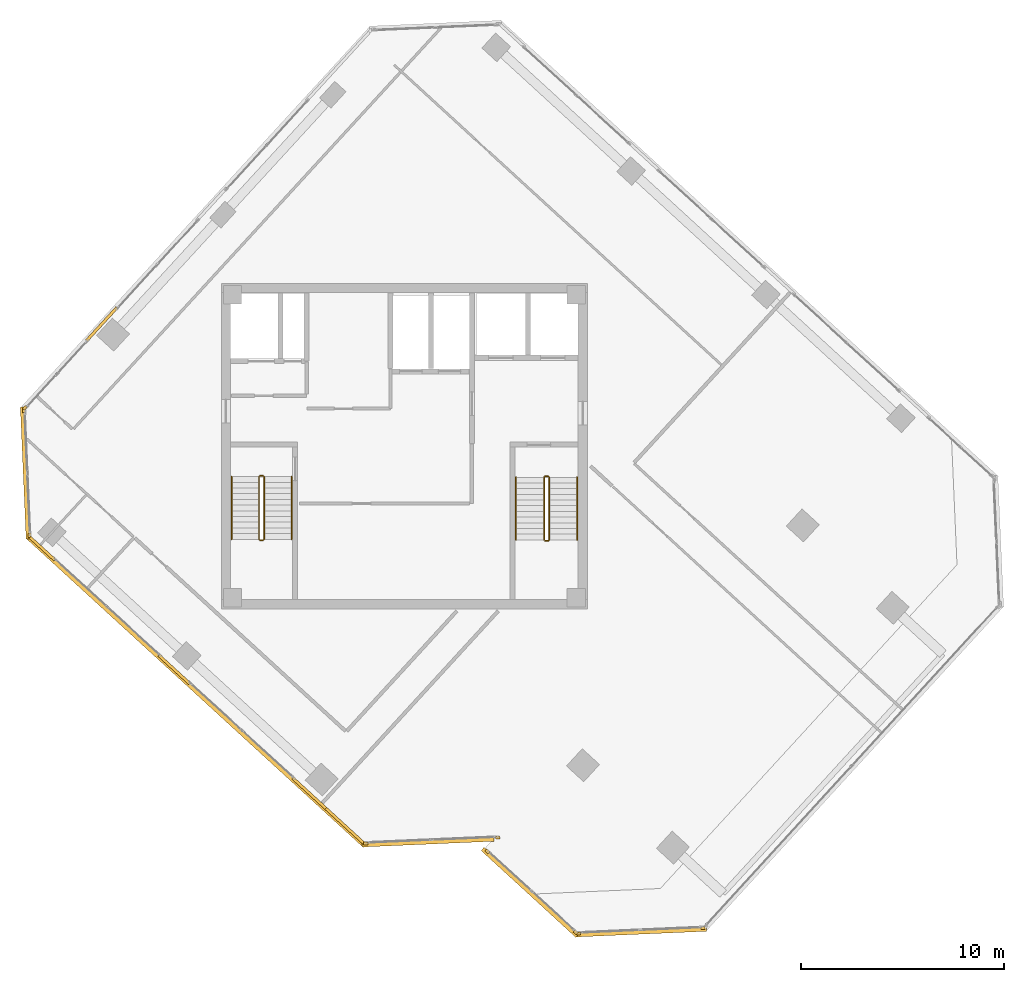
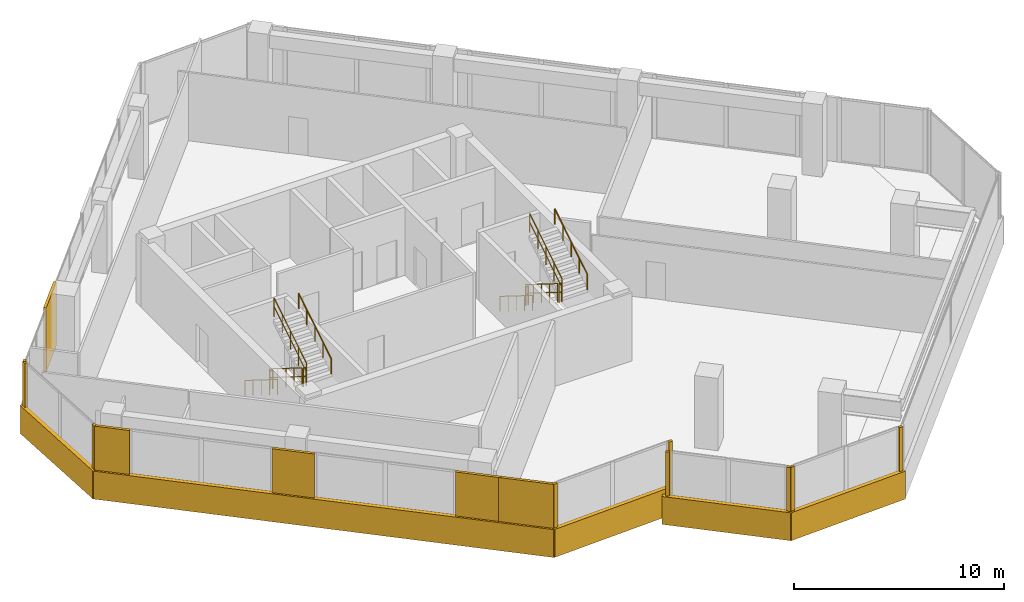
# One storey, part 16 of 18: 19 coverings, 12 railings.
"""IFC4 building model written with IfcOpenShell, lengths in metres."""

from ifc_helpers import new_model, si_unit, direction, frame, origin, origin_2d, place, context, subcontext, project, spatial, rectangle, circle, extrude, source, transform, mapped, material, layer, layer_set, type_object, element, save


model = new_model("IFC4")

# Units and contexts
model_context = context("Model", 3, precision=1e-05, world=origin(), true_north=direction((0.0, 1.0)))
body_context = subcontext(model_context, "Body", "Model", "MODEL_VIEW")
ifc_project = project(units=[si_unit("LENGTHUNIT", "METRE"), si_unit("AREAUNIT", "SQUARE_METRE"), si_unit("VOLUMEUNIT", "CUBIC_METRE"), si_unit("PLANEANGLEUNIT", "RADIAN"), si_unit("MASSUNIT", "GRAM", prefix="KILO")], contexts=[model_context])

# Site, building, storey
site_placement = place(None, origin())
site = spatial("IfcSite", under=ifc_project, at=site_placement, CompositionType="ELEMENT")
building_placement = place(site_placement, origin())
building = spatial("IfcBuilding", under=site, at=building_placement, Name="Torre Montelarca", CompositionType="ELEMENT")
storey_placement = place(building_placement, frame((0.0, 0.0, 233.199951171875)))
storey = spatial("IfcBuildingStorey", under=building, at=storey_placement, Name="L52", CompositionType="ELEMENT", Elevation=233.199951171875)

# Railings
ifc_material_1 = material(Name="Powder-coated steel ASTM A500 Grade C", Category="steel")
railing_type_1 = type_object("IfcRailingType", Name="RL-GUARD-1100", PredefinedType="BALUSTRADE", material=ifc_material_1)
railing_1_placement = place(storey_placement, frame((10.85009765625, 30.5, 0.175048828125)))
element("IfcRailing", 1, at=railing_1_placement, inside=storey, type_object=railing_type_1, Name="L52 ST1 stair guard 1", PredefinedType="BALUSTRADE", context=body_context, shape_type="SweptSolid", body=[
    extrude(circle(Radius=0.02392578125, at=origin_2d()), frame((0.0, 0.0, 1.076171875), z_axis=(0.0, -0.847998304005, 0.529998940003), x_axis=(1.0, 0.0, 0.0)), (0.0, 0.0, 1.0), 3.632080078125),
    extrude(circle(Radius=0.02099609375, at=origin_2d()), frame((0.0, 0.0, 0.572021484375), z_axis=(0.0, -0.847998304005, 0.529998940003), x_axis=(1.0, 0.0, 0.0)), (0.0, 0.0, 1.0), 3.632080078125),
    extrude(circle(Radius=0.02099609375, at=origin_2d()), origin(), (0.0, 0.0, 1.0), 1.052001953125),
    extrude(circle(Radius=0.02099609375, at=origin_2d()), frame((0.0, -0.77001953125, 0.481201171875)), (0.0, 0.0, 1.0), 1.052001953125),
    extrude(circle(Radius=0.02099609375, at=origin_2d()), frame((0.0, -1.5400390625, 0.96240234375)), (0.0, 0.0, 1.0), 1.052001953125),
    extrude(circle(Radius=0.02099609375, at=origin_2d()), frame((0.0, -2.31005859375, 1.44384765625)), (0.0, 0.0, 1.0), 1.052001953125),
    extrude(circle(Radius=0.02099609375, at=origin_2d()), frame((0.0, -3.080078125, 1.925048828125)), (0.0, 0.0, 1.0), 1.052001953125),
])
railing_2_placement = place(storey_placement, frame((10.89990234375, 27.3701171875, 2.10009765625)))
element("IfcRailing", 2, at=railing_2_placement, inside=storey, type_object=railing_type_1, Name="L52 ST1 stair guard 2", PredefinedType="BALUSTRADE", context=body_context, shape_type="SweptSolid", body=[
    extrude(circle(Radius=0.02392578125, at=origin_2d()), frame((0.0, 0.0, 1.076171875), z_axis=(1.0, 0.0, 0.0), x_axis=(0.0, 1.0, 0.0)), (0.0, 0.0, 1.0), 0.150146484375),
    extrude(circle(Radius=0.02099609375, at=origin_2d()), frame((0.0, 0.0, 0.572021484375), z_axis=(1.0, 0.0, 0.0), x_axis=(0.0, 1.0, 0.0)), (0.0, 0.0, 1.0), 0.150146484375),
    extrude(circle(Radius=0.02099609375, at=origin_2d()), origin(), (0.0, 0.0, 1.0), 1.052001953125),
    extrude(circle(Radius=0.02099609375, at=origin_2d()), frame((0.150146484375, 0.0, 0.0)), (0.0, 0.0, 1.0), 1.052001953125),
])
railing_3_placement = place(storey_placement, frame((11.10009765625, 27.419921875, 2.275146484375)))
element("IfcRailing", 3, at=railing_3_placement, inside=storey, type_object=railing_type_1, Name="L52 ST1 stair guard 3", PredefinedType="BALUSTRADE", context=body_context, shape_type="SweptSolid", body=[
    extrude(circle(Radius=0.02392578125, at=origin_2d()), frame((0.0, 0.0, 1.076171875), z_axis=(0.0, 0.848028513186, 0.529950602248), x_axis=(-1.0, 0.0, 0.0)), (0.0, 0.0, 1.0), 3.632080078125),
    extrude(circle(Radius=0.02099609375, at=origin_2d()), frame((0.0, 0.0, 0.572021484375), z_axis=(0.0, 0.848028513186, 0.529950602248), x_axis=(-1.0, 0.0, 0.0)), (0.0, 0.0, 1.0), 3.632080078125),
    extrude(circle(Radius=0.02099609375, at=origin_2d()), origin(), (0.0, 0.0, 1.0), 1.052001953125),
    extrude(circle(Radius=0.02099609375, at=origin_2d()), frame((0.0, 0.77001953125, 0.481201171875)), (0.0, 0.0, 1.0), 1.052001953125),
    extrude(circle(Radius=0.02099609375, at=origin_2d()), frame((0.0, 1.5400390625, 0.96240234375)), (0.0, 0.0, 1.0), 1.052001953125),
    extrude(circle(Radius=0.02099609375, at=origin_2d()), frame((0.0, 2.31005859375, 1.443603515625)), (0.0, 0.0, 1.0), 1.052001953125),
    extrude(circle(Radius=0.02099609375, at=origin_2d()), frame((0.0, 3.080078125, 1.9248046875)), (0.0, 0.0, 1.0), 1.052001953125),
])
railing_4_placement = place(storey_placement, frame((10.89990234375, 30.550048828125, 0.0)))
element("IfcRailing", 4, at=railing_4_placement, inside=storey, type_object=railing_type_1, Name="L52 ST1 stair guard 4", PredefinedType="BALUSTRADE", context=body_context, shape_type="SweptSolid", body=[
    extrude(circle(Radius=0.02392578125, at=origin_2d()), frame((0.0, 0.0, 1.076171875), z_axis=(1.0, 0.0, 0.0), x_axis=(0.0, 1.0, 0.0)), (0.0, 0.0, 1.0), 0.150146484375),
    extrude(circle(Radius=0.02099609375, at=origin_2d()), frame((0.0, 0.0, 0.572021484375), z_axis=(1.0, 0.0, 0.0), x_axis=(0.0, 1.0, 0.0)), (0.0, 0.0, 1.0), 0.150146484375),
    extrude(circle(Radius=0.02099609375, at=origin_2d()), origin(), (0.0, 0.0, 1.0), 1.052001953125),
    extrude(circle(Radius=0.02099609375, at=origin_2d()), frame((0.150146484375, 0.0, 0.0)), (0.0, 0.0, 1.0), 1.052001953125),
])
railing_5_placement = place(storey_placement, frame((24.8701171875, 30.469970703125, 0.175048828125)))
element("IfcRailing", 5, at=railing_5_placement, inside=storey, type_object=railing_type_1, Name="L52 ST2 stair guard 1", PredefinedType="BALUSTRADE", context=body_context, shape_type="SweptSolid", body=[
    extrude(circle(Radius=0.02392578125, at=origin_2d()), frame((0.0, 0.0, 1.076171875), z_axis=(0.0, -0.847998304005, 0.529998940003), x_axis=(1.0, 0.0, 0.0)), (0.0, 0.0, 1.0), 3.632080078125),
    extrude(circle(Radius=0.02099609375, at=origin_2d()), frame((0.0, 0.0, 0.572021484375), z_axis=(0.0, -0.847998304005, 0.529998940003), x_axis=(1.0, 0.0, 0.0)), (0.0, 0.0, 1.0), 3.632080078125),
    extrude(circle(Radius=0.02099609375, at=origin_2d()), origin(), (0.0, 0.0, 1.0), 1.052001953125),
    extrude(circle(Radius=0.02099609375, at=origin_2d()), frame((0.0, -0.77001953125, 0.481201171875)), (0.0, 0.0, 1.0), 1.052001953125),
    extrude(circle(Radius=0.02099609375, at=origin_2d()), frame((0.0, -1.5400390625, 0.96240234375)), (0.0, 0.0, 1.0), 1.052001953125),
    extrude(circle(Radius=0.02099609375, at=origin_2d()), frame((0.0, -2.31005859375, 1.44384765625)), (0.0, 0.0, 1.0), 1.052001953125),
    extrude(circle(Radius=0.02099609375, at=origin_2d()), frame((0.0, -3.080078125, 1.925048828125)), (0.0, 0.0, 1.0), 1.052001953125),
])
railing_6_placement = place(storey_placement, frame((24.919921875, 27.340087890625, 2.10009765625)))
element("IfcRailing", 6, at=railing_6_placement, inside=storey, type_object=railing_type_1, Name="L52 ST2 stair guard 2", PredefinedType="BALUSTRADE", context=body_context, shape_type="SweptSolid", body=[
    extrude(circle(Radius=0.02392578125, at=origin_2d()), frame((0.0, 0.0, 1.076171875), z_axis=(1.0, 0.0, 0.0), x_axis=(0.0, 1.0, 0.0)), (0.0, 0.0, 1.0), 0.150146484375),
    extrude(circle(Radius=0.02099609375, at=origin_2d()), frame((0.0, 0.0, 0.572021484375), z_axis=(1.0, 0.0, 0.0), x_axis=(0.0, 1.0, 0.0)), (0.0, 0.0, 1.0), 0.150146484375),
    extrude(circle(Radius=0.02099609375, at=origin_2d()), origin(), (0.0, 0.0, 1.0), 1.052001953125),
    extrude(circle(Radius=0.02099609375, at=origin_2d()), frame((0.150146484375, 0.0, 0.0)), (0.0, 0.0, 1.0), 1.052001953125),
])
railing_7_placement = place(storey_placement, frame((25.1201171875, 27.389892578125, 2.275146484375)))
element("IfcRailing", 7, at=railing_7_placement, inside=storey, type_object=railing_type_1, Name="L52 ST2 stair guard 3", PredefinedType="BALUSTRADE", context=body_context, shape_type="SweptSolid", body=[
    extrude(circle(Radius=0.02392578125, at=origin_2d()), frame((0.0, 0.0, 1.076171875), z_axis=(0.0, 0.848028513186, 0.529950602248), x_axis=(-1.0, 0.0, 0.0)), (0.0, 0.0, 1.0), 3.632080078125),
    extrude(circle(Radius=0.02099609375, at=origin_2d()), frame((0.0, 0.0, 0.572021484375), z_axis=(0.0, 0.848028513186, 0.529950602248), x_axis=(-1.0, 0.0, 0.0)), (0.0, 0.0, 1.0), 3.632080078125),
    extrude(circle(Radius=0.02099609375, at=origin_2d()), origin(), (0.0, 0.0, 1.0), 1.052001953125),
    extrude(circle(Radius=0.02099609375, at=origin_2d()), frame((0.0, 0.77001953125, 0.481201171875)), (0.0, 0.0, 1.0), 1.052001953125),
    extrude(circle(Radius=0.02099609375, at=origin_2d()), frame((0.0, 1.5400390625, 0.96240234375)), (0.0, 0.0, 1.0), 1.052001953125),
    extrude(circle(Radius=0.02099609375, at=origin_2d()), frame((0.0, 2.31005859375, 1.443603515625)), (0.0, 0.0, 1.0), 1.052001953125),
    extrude(circle(Radius=0.02099609375, at=origin_2d()), frame((0.0, 3.080078125, 1.9248046875)), (0.0, 0.0, 1.0), 1.052001953125),
])
railing_8_placement = place(storey_placement, frame((24.919921875, 30.52001953125, 0.0)))
element("IfcRailing", 8, at=railing_8_placement, inside=storey, type_object=railing_type_1, Name="L52 ST2 stair guard 4", PredefinedType="BALUSTRADE", context=body_context, shape_type="SweptSolid", body=[
    extrude(circle(Radius=0.02392578125, at=origin_2d()), frame((0.0, 0.0, 1.076171875), z_axis=(1.0, 0.0, 0.0), x_axis=(0.0, 1.0, 0.0)), (0.0, 0.0, 1.0), 0.150146484375),
    extrude(circle(Radius=0.02099609375, at=origin_2d()), frame((0.0, 0.0, 0.572021484375), z_axis=(1.0, 0.0, 0.0), x_axis=(0.0, 1.0, 0.0)), (0.0, 0.0, 1.0), 0.150146484375),
    extrude(circle(Radius=0.02099609375, at=origin_2d()), origin(), (0.0, 0.0, 1.0), 1.052001953125),
    extrude(circle(Radius=0.02099609375, at=origin_2d()), frame((0.150146484375, 0.0, 0.0)), (0.0, 0.0, 1.0), 1.052001953125),
])
ifc_material_2 = material(Name="Brushed stainless steel AISI 316", Category="steel")
railing_type_2 = type_object("IfcRailingType", Name="RL-HANDRAIL-900", PredefinedType="HANDRAIL", material=ifc_material_2)
railing_9_placement = place(storey_placement, frame((9.5, 30.5, 0.175048828125)))
element("IfcRailing", 9, at=railing_9_placement, inside=storey, type_object=railing_type_2, Name="L52 ST1 stair handrail 1", PredefinedType="HANDRAIL", context=body_context, shape_type="SweptSolid", body=[
    extrude(circle(Radius=0.02392578125, at=origin_2d()), frame((0.0, 0.0, 0.8759765625), z_axis=(0.0, -0.847998304005, 0.529998940003), x_axis=(1.0, 0.0, 0.0)), (0.0, 0.0, 1.0), 3.632080078125),
    extrude(circle(Radius=0.02099609375, at=origin_2d()), origin(), (0.0, 0.0, 1.0), 0.851806640625),
    extrude(circle(Radius=0.02099609375, at=origin_2d()), frame((0.0, -0.77001953125, 0.481201171875)), (0.0, 0.0, 1.0), 0.851806640625),
    extrude(circle(Radius=0.02099609375, at=origin_2d()), frame((0.0, -1.5400390625, 0.96240234375)), (0.0, 0.0, 1.0), 0.851806640625),
    extrude(circle(Radius=0.02099609375, at=origin_2d()), frame((0.0, -2.31005859375, 1.44384765625)), (0.0, 0.0, 1.0), 0.851806640625),
    extrude(circle(Radius=0.02099609375, at=origin_2d()), frame((0.0, -3.080078125, 1.925048828125)), (0.0, 0.0, 1.0), 0.851806640625),
])
railing_10_placement = place(storey_placement, frame((12.449951171875, 27.419921875, 2.275146484375)))
element("IfcRailing", 10, at=railing_10_placement, inside=storey, type_object=railing_type_2, Name="L52 ST1 stair handrail 2", PredefinedType="HANDRAIL", context=body_context, shape_type="SweptSolid", body=[
    extrude(circle(Radius=0.02392578125, at=origin_2d()), frame((0.0, 0.0, 0.8759765625), z_axis=(0.0, 0.848028513186, 0.529950602248), x_axis=(-1.0, 0.0, 0.0)), (0.0, 0.0, 1.0), 3.632080078125),
    extrude(circle(Radius=0.02099609375, at=origin_2d()), origin(), (0.0, 0.0, 1.0), 0.851806640625),
    extrude(circle(Radius=0.02099609375, at=origin_2d()), frame((0.0, 0.77001953125, 0.481201171875)), (0.0, 0.0, 1.0), 0.851806640625),
    extrude(circle(Radius=0.02099609375, at=origin_2d()), frame((0.0, 1.5400390625, 0.96240234375)), (0.0, 0.0, 1.0), 0.851806640625),
    extrude(circle(Radius=0.02099609375, at=origin_2d()), frame((0.0, 2.31005859375, 1.443603515625)), (0.0, 0.0, 1.0), 0.851806640625),
    extrude(circle(Radius=0.02099609375, at=origin_2d()), frame((0.0, 3.080078125, 1.9248046875)), (0.0, 0.0, 1.0), 0.851806640625),
])
railing_11_placement = place(storey_placement, frame((23.489990234375, 30.469970703125, 0.175048828125)))
element("IfcRailing", 11, at=railing_11_placement, inside=storey, type_object=railing_type_2, Name="L52 ST2 stair handrail 1", PredefinedType="HANDRAIL", context=body_context, shape_type="SweptSolid", body=[
    extrude(circle(Radius=0.02392578125, at=origin_2d()), frame((0.0, 0.0, 0.8759765625), z_axis=(0.0, -0.847998304005, 0.529998940003), x_axis=(1.0, 0.0, 0.0)), (0.0, 0.0, 1.0), 3.632080078125),
    extrude(circle(Radius=0.02099609375, at=origin_2d()), origin(), (0.0, 0.0, 1.0), 0.851806640625),
    extrude(circle(Radius=0.02099609375, at=origin_2d()), frame((0.0, -0.77001953125, 0.481201171875)), (0.0, 0.0, 1.0), 0.851806640625),
    extrude(circle(Radius=0.02099609375, at=origin_2d()), frame((0.0, -1.5400390625, 0.96240234375)), (0.0, 0.0, 1.0), 0.851806640625),
    extrude(circle(Radius=0.02099609375, at=origin_2d()), frame((0.0, -2.31005859375, 1.44384765625)), (0.0, 0.0, 1.0), 0.851806640625),
    extrude(circle(Radius=0.02099609375, at=origin_2d()), frame((0.0, -3.080078125, 1.925048828125)), (0.0, 0.0, 1.0), 0.851806640625),
])
railing_12_placement = place(storey_placement, frame((26.5, 27.389892578125, 2.275146484375)))
element("IfcRailing", 12, at=railing_12_placement, inside=storey, type_object=railing_type_2, Name="L52 ST2 stair handrail 2", PredefinedType="HANDRAIL", context=body_context, shape_type="SweptSolid", body=[
    extrude(circle(Radius=0.02392578125, at=origin_2d()), frame((0.0, 0.0, 0.8759765625), z_axis=(0.0, 0.848028513186, 0.529950602248), x_axis=(-1.0, 0.0, 0.0)), (0.0, 0.0, 1.0), 3.632080078125),
    extrude(circle(Radius=0.02099609375, at=origin_2d()), origin(), (0.0, 0.0, 1.0), 0.851806640625),
    extrude(circle(Radius=0.02099609375, at=origin_2d()), frame((0.0, 0.77001953125, 0.481201171875)), (0.0, 0.0, 1.0), 0.851806640625),
    extrude(circle(Radius=0.02099609375, at=origin_2d()), frame((0.0, 1.5400390625, 0.96240234375)), (0.0, 0.0, 1.0), 0.851806640625),
    extrude(circle(Radius=0.02099609375, at=origin_2d()), frame((0.0, 2.31005859375, 1.443603515625)), (0.0, 0.0, 1.0), 0.851806640625),
    extrude(circle(Radius=0.02099609375, at=origin_2d()), frame((0.0, 3.080078125, 1.9248046875)), (0.0, 0.0, 1.0), 0.851806640625),
])

# Coverings
ifc_material_3 = material(Name="Bush-hammered warm white precast concrete C45/55", Category="concrete")
ifc_layer = layer(ifc_material_3, 0.139892578125, Name="Bush-hammered warm white precast concrete C45/55", Category="concrete")
ifc_layer_set = layer_set([ifc_layer], Name="Bush-hammered warm white precast concrete C45/55")
covering_type = type_object("IfcCoveringType", Name="COV-TRAY-CLAD", PredefinedType="CLADDING", material=ifc_layer_set)
shared_shape_1 = source(origin(), body_context, "Body", "SweptSolid", [
    extrude(rectangle(XDim=6.48388671875, YDim=0.219970703125, at=origin_2d()), origin(), (0.0, 0.0, 1.0), 1.6201171875),
])
for number, where, z_axis, x_axis, name in (
    (13, (19.164794921875, 12.534912109375, -0.449951171875), (0.0, 0.0, 1.0), (0.99904814545, 0.043621131033, 0.0), "L52 Architectural White Spandrel Tray Band TRYBOT-02"),
    (14, (29.620849609375, 8.10791015625, -0.449951171875), (0.0, 0.0, 1.0), (0.99904814545, 0.043621131033, 0.0), "L52 Architectural White Spandrel Tray Band TRYBOT-05"),
    (15, (-0.63671875, 30.6796875, -0.449951171875), (0.0, 0.0, 1.0), (0.043621131033, -0.99904814545, 0.0), "L52 Architectural White Spandrel Tray Band TRYBOT-11"),
):
    element("IfcCovering", number, at=place(storey_placement, frame(where, z_axis=z_axis, x_axis=x_axis)), inside=storey, type_object=covering_type, Name=name, PredefinedType="CLADDING", context=body_context, shape_type="MappedRepresentation", body=[
        mapped(shared_shape_1, transform((0.0, 0.0, 0.0), scale=1.0)),
    ])
shared_shape_2 = source(origin(), body_context, "Body", "SweptSolid", [
    extrude(rectangle(XDim=0.199951171875, YDim=0.139892578125, at=origin_2d()), origin(), (0.0, 0.0, 1.0), 3.719970703125),
])
for number, where, z_axis, x_axis, name in (
    (16, (16.09912109375, 12.4609375, 0.0), (0.0, 0.0, 1.0), (0.999047460128, 0.04363682404, 0.0), "L52 Architectural Column Pier Cladding E02-1"),
    (17, (22.5927734375, 12.74462890625, 0.0), (0.0, 0.0, 1.0), (0.999047460128, 0.04363682404, 0.0), "L52 Architectural Column Pier Cladding E02-2"),
    (18, (22.074462890625, 12.064208984375, 0.0), (0.0, 0.0, 1.0), (0.737282053302, -0.675585060432, 0.0), "L52 Architectural Column Pier Cladding E04-1"),
    (19, (26.418701171875, 8.08349609375, 0.0), (0.0, 0.0, 1.0), (0.737282053302, -0.675585060432, 0.0), "L52 Architectural Column Pier Cladding E04-2"),
    (20, (26.55517578125, 8.033935546875, 0.0), (0.0, 0.0, 1.0), (0.999047840893, 0.043628105704, 0.0), "L52 Architectural Column Pier Cladding E05-1"),
    (21, (32.681396484375, 8.301513671875, 0.0), (0.0, 0.0, 1.0), (0.999047840893, 0.043628105704, 0.0), "L52 Architectural Column Pier Cladding E05-2"),
    (22, (-0.660888671875, 33.8818359375, 0.0), (0.0, 0.0, 1.0), (-0.675588920823, -0.737278515936, 0.0), "L52 Architectural Column Pier Cladding E10-5"),
    (23, (-0.71044921875, 33.745361328125, 0.0), (0.0, 0.0, 1.0), (0.043628105704, -0.999047840893, 0.0), "L52 Architectural Column Pier Cladding E11-1"),
    (24, (-0.44287109375, 27.618896484375, 0.0), (0.0, 0.0, 1.0), (0.043628105704, -0.999047840893, 0.0), "L52 Architectural Column Pier Cladding E11-2"),
):
    element("IfcCovering", number, at=place(storey_placement, frame(where, z_axis=z_axis, x_axis=x_axis)), inside=storey, type_object=covering_type, Name=name, PredefinedType="CLADDING", context=body_context, shape_type="MappedRepresentation", body=[
        mapped(shared_shape_2, transform((0.0, 0.0, 0.0), scale=1.0)),
    ])
shared_shape_3 = source(origin(), body_context, "Body", "SweptSolid", [
    extrude(rectangle(XDim=2.2099609375, YDim=0.139892578125, at=origin_2d()), origin(), (0.0, 0.0, 1.0), 3.719970703125),
])
for number, where, z_axis, x_axis, name in (
    (25, (13.320068359375, 14.93212890625, 0.0), (0.0, 0.0, 1.0), (0.73727733681, -0.675590207616, 0.0), "L52 Architectural Column Pier Cladding E01-3"),
    (26, (3.11181640625, 37.9990234375, 0.0), (0.0, 0.0, 1.0), (-0.675588920823, -0.737278515936, 0.0), "L52 Architectural Column Pier Cladding E10-4"),
):
    element("IfcCovering", number, at=place(storey_placement, frame(where, z_axis=z_axis, x_axis=x_axis)), inside=storey, type_object=covering_type, Name=name, PredefinedType="CLADDING", context=body_context, shape_type="MappedRepresentation", body=[
        mapped(shared_shape_3, transform((0.0, 0.0, 0.0), scale=1.0)),
    ])
shared_shape_4 = source(origin(), body_context, "Body", "SweptSolid", [
    extrude(rectangle(XDim=2.67919921875, YDim=0.139892578125, at=origin_2d()), origin(), (0.0, 0.0, 1.0), 3.719970703125),
])
covering_1_placement = place(storey_placement, frame((15.048583984375, 13.34814453125, 0.0), z_axis=(0.0, 0.0, 1.0), x_axis=(0.73727733681, -0.675590207616, 0.0)))
element("IfcCovering", 27, at=covering_1_placement, inside=storey, type_object=covering_type, Name="L52 Architectural Column Pier Cladding E01-4", PredefinedType="CLADDING", context=body_context, shape_type="MappedRepresentation", body=[
    mapped(shared_shape_4, transform((0.0, 0.0, 0.0), scale=1.0)),
])
shared_shape_5 = source(origin(), body_context, "Body", "SweptSolid", [
    extrude(rectangle(XDim=1.714111328125, YDim=0.139892578125, at=origin_2d()), origin(), (0.0, 0.0, 1.0), 3.719970703125),
])
covering_2_placement = place(storey_placement, frame((0.176513671875, 26.975830078125, 0.0), z_axis=(0.0, 0.0, 1.0), x_axis=(0.73727733681, -0.675590207616, 0.0)))
element("IfcCovering", 28, at=covering_2_placement, inside=storey, type_object=covering_type, Name="L52 Architectural Column Pier Cladding E01-1", PredefinedType="CLADDING", context=body_context, shape_type="MappedRepresentation", body=[
    mapped(shared_shape_5, transform((0.0, 0.0, 0.0), scale=1.0)),
])
shared_shape_6 = source(origin(), body_context, "Body", "SweptSolid", [
    extrude(rectangle(XDim=2.06005859375, YDim=0.139892578125, at=origin_2d()), origin(), (0.0, 0.0, 1.0), 3.719970703125),
])
covering_3_placement = place(storey_placement, frame((6.6845703125, 21.012451171875, 0.0), z_axis=(0.0, 0.0, 1.0), x_axis=(0.73727733681, -0.675590207616, 0.0)))
element("IfcCovering", 29, at=covering_3_placement, inside=storey, type_object=covering_type, Name="L52 Architectural Column Pier Cladding E01-2", PredefinedType="CLADDING", context=body_context, shape_type="MappedRepresentation", body=[
    mapped(shared_shape_6, transform((0.0, 0.0, 0.0), scale=1.0)),
])
shared_shape_7 = source(origin(), body_context, "Body", "SweptSolid", [
    extrude(rectangle(XDim=22.52001953125, YDim=0.219970703125, at=origin_2d()), origin(), (0.0, 0.0, 1.0), 1.6201171875),
])
covering_4_placement = place(storey_placement, frame((7.75, 19.954833984375, -0.449951171875), z_axis=(0.0, 0.0, 1.0), x_axis=(0.73727733681, -0.675590207616, 0.0)))
element("IfcCovering", 30, at=covering_4_placement, inside=storey, type_object=covering_type, Name="L52 Architectural White Spandrel Tray Band TRYBOT-01", PredefinedType="CLADDING", context=body_context, shape_type="MappedRepresentation", body=[
    mapped(shared_shape_7, transform((0.0, 0.0, 0.0), scale=1.0)),
])
shared_shape_8 = source(origin(), body_context, "Body", "SweptSolid", [
    extrude(rectangle(XDim=6.31982421875, YDim=0.219970703125, at=origin_2d()), origin(), (0.0, 0.0, 1.0), 1.6201171875),
])
covering_5_placement = place(storey_placement, frame((24.177978515625, 10.055419921875, -0.449951171875), z_axis=(0.0, 0.0, 1.0), x_axis=(0.737280874182, -0.675586347231, 0.0)))
element("IfcCovering", 31, at=covering_5_placement, inside=storey, type_object=covering_type, Name="L52 Architectural White Spandrel Tray Band TRYBOT-04", PredefinedType="CLADDING", context=body_context, shape_type="MappedRepresentation", body=[
    mapped(shared_shape_8, transform((0.0, 0.0, 0.0), scale=1.0)),
])

save(model, "model.ifc")
